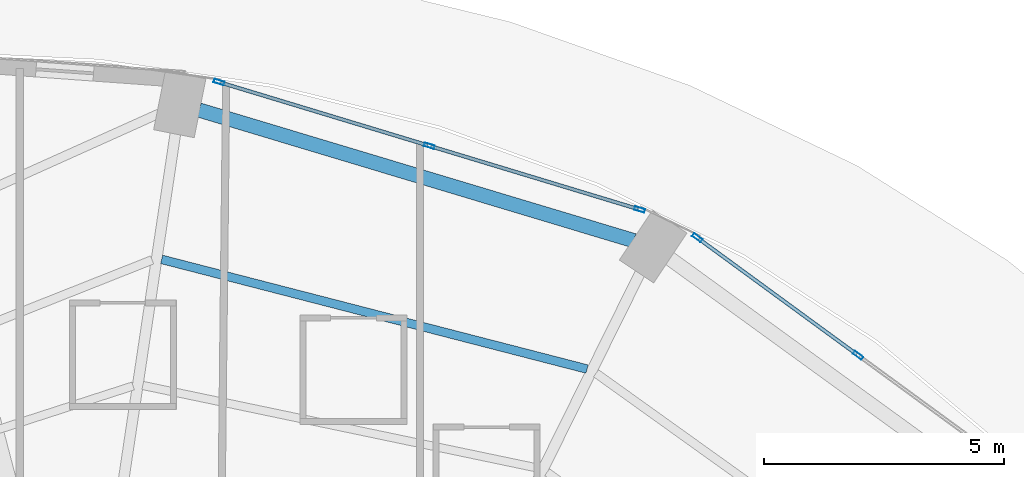
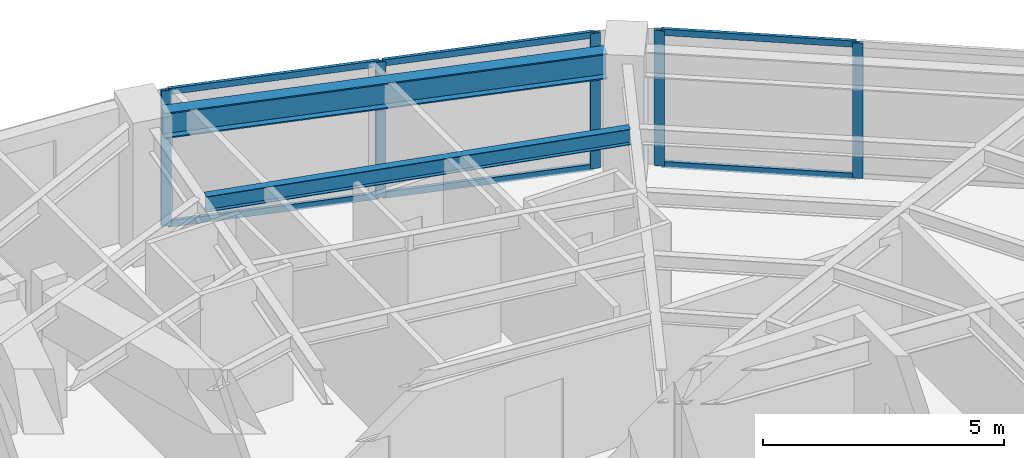
# One storey, part 17 of 25: 11 members, 2 beams, 2 elements without a shape of their own.
"""IFC4 building model written with IfcOpenShell, lengths in metres."""

from ifc_helpers import new_model, si_unit, direction, frame, origin, origin_2d, place, context, subcontext, project, spatial, hollow_rectangle, i_section, extrude, material, layer, layer_set, material_profile, profile_set, type_object, element, aggregate, save


model = new_model("IFC4")

# Units and contexts
model_context = context("Model", 3, precision=1e-05, world=origin(), true_north=direction((0.0, 1.0)))
body_context = subcontext(model_context, "Body", "Model", "MODEL_VIEW")
ifc_project = project(units=[si_unit("LENGTHUNIT", "METRE"), si_unit("AREAUNIT", "SQUARE_METRE"), si_unit("VOLUMEUNIT", "CUBIC_METRE"), si_unit("PLANEANGLEUNIT", "RADIAN"), si_unit("MASSUNIT", "GRAM", prefix="KILO")], contexts=[model_context])

# Site, building, storey
site_placement = place(None, origin())
site = spatial("IfcSite", under=ifc_project, at=site_placement, CompositionType="ELEMENT")
building_placement = place(site_placement, origin())
building = spatial("IfcBuilding", under=site, at=building_placement, Name="Lazwardi Medical Tower", CompositionType="ELEMENT")
storey_placement = place(building_placement, frame((0.0, 0.0, 25.199951171875)))
storey = spatial("IfcBuildingStorey", under=building, at=storey_placement, Name="L05", CompositionType="ELEMENT", Elevation=25.199951171875)

# Beams
ifc_material_1 = material(Name="Steel S355", Category="steel")
ifc_material_profile_1 = material_profile(ifc_material_1, i_section(OverallWidth=0.300048828125, OverallDepth=0.64990234375, WebThickness=0.01611328125, FlangeThickness=0.031005859375, at=origin_2d()), Name="HEB 650")
ifc_profile_set_1 = profile_set([ifc_material_profile_1], Name="Steel S355")
beam_type_1 = type_object("IfcBeamType", Name="BM-RB-Z1", PredefinedType="BEAM", material=ifc_profile_set_1)
beam_1_placement = place(storey_placement, frame((50.77880859375, 47.0048828125, 3.10302734375), z_axis=(-0.957695289269, 0.287784177662, 0.0), x_axis=(-0.287784177662, -0.957695289269, 0.0)))
element("IfcBeam", 1, at=beam_1_placement, inside=storey, type_object=beam_type_1, Name="Ring beam RB-02 B07 L05", PredefinedType="BEAM", context=body_context, shape_type="SweptSolid", body=[
    extrude(i_section(OverallWidth=0.300048828125, OverallDepth=0.64990234375, WebThickness=0.01611328125, FlangeThickness=0.031005859375, at=origin_2d()), origin(), (0.0, 0.0, 1.0), 9.445556640625),
])
ifc_material_profile_2 = material_profile(ifc_material_1, i_section(OverallWidth=0.179931640625, OverallDepth=0.39990234375, WebThickness=0.008544921875, FlangeThickness=0.013427734375, at=origin_2d()), Name="IPE 400")
ifc_profile_set_2 = profile_set([ifc_material_profile_2], Name="Steel S355")
beam_type_2 = type_object("IfcBeamType", Name="BM-SJ-01", PredefinedType="JOIST", material=ifc_profile_set_2)
beam_2_placement = place(storey_placement, frame((49.804931640625, 44.333251953125, 3.22802734375), z_axis=(-0.968316918308, 0.249724539682, 0.0), x_axis=(-0.249724539682, -0.968316918308, 0.0)))
element("IfcBeam", 2, at=beam_2_placement, inside=storey, type_object=beam_type_2, Name="Secondary joist SJ-01 R1 B07 L05", PredefinedType="JOIST", context=body_context, shape_type="SweptSolid", body=[
    extrude(i_section(OverallWidth=0.179931640625, OverallDepth=0.39990234375, WebThickness=0.008544921875, FlangeThickness=0.013427734375, at=origin_2d()), origin(), (0.0, 0.0, 1.0), 9.140869140625),
])

# Curtain wall, members
ifc_material_2 = material(Name="Anodised bronze aluminium and solar control glazing", Category="aluminium")
ifc_layer = layer(ifc_material_2, 0.199951171875)
ifc_layer_set = layer_set([ifc_layer], Name="Anodised bronze aluminium and solar control glazing")
curtain_wall_type = type_object("IfcCurtainWallType", Name="CW-SYS-02", PredefinedType="NOTDEFINED", material=ifc_layer_set)
curtain_wall_1_placement = place(storey_placement, origin())
curtain_wall_1 = element("IfcCurtainWall", 3, at=curtain_wall_1_placement, inside=storey, type_object=curtain_wall_type, Name="L05 Unitised bronze curtain wall CW-02", PredefinedType="NOTDEFINED")
ifc_material_3 = material(Name="Anodised bronze aluminium", Category="aluminium")
ifc_material_profile_3 = material_profile(ifc_material_3, hollow_rectangle(XDim=0.074951171875, YDim=0.219970703125, WallThickness=0.00390625, at=origin_2d()), Name="ALU-MULLION 220x75x4")
ifc_profile_set_3 = profile_set([ifc_material_profile_3], Name="Anodised bronze aluminium")
member_type_1 = type_object("IfcMemberType", Name="CW-MUL-01", PredefinedType="MULLION", material=ifc_profile_set_3)
member_1_placement = place(storey_placement, frame((55.4443359375, 44.619384765625, 0.0), z_axis=(0.0, 0.0, 1.0), x_axis=(-0.590289307341, -0.807191757663, 0.0)))
member_1 = element("IfcMember", 4, at=member_1_placement, type_object=member_type_1, Name="CW-02 mullion 2", PredefinedType="MULLION", context=body_context, shape_type="SweptSolid", body=[
    extrude(hollow_rectangle(XDim=0.074951171875, YDim=0.219970703125, WallThickness=0.00390625, at=origin_2d()), origin(), (0.0, 0.0, 1.0), 3.427978515625),
])
member_2_placement = place(storey_placement, frame((52.0986328125, 47.066162109375, 0.0), z_axis=(0.0, 0.0, 1.0), x_axis=(-0.590289307341, -0.807191757663, 0.0)))
member_2 = element("IfcMember", 5, at=member_2_placement, type_object=member_type_1, Name="CW-02 mullion 3", PredefinedType="MULLION", context=body_context, shape_type="SweptSolid", body=[
    extrude(hollow_rectangle(XDim=0.074951171875, YDim=0.219970703125, WallThickness=0.00390625, at=origin_2d()), origin(), (0.0, 0.0, 1.0), 3.427978515625),
])

curtain_wall_2_placement = place(storey_placement, origin())
curtain_wall_2 = element("IfcCurtainWall", 6, at=curtain_wall_2_placement, inside=storey, type_object=curtain_wall_type, Name="L05 Unitised bronze curtain wall CW-02", PredefinedType="NOTDEFINED")
member_3_placement = place(storey_placement, frame((50.8984375, 47.653076171875, 0.0), z_axis=(0.0, 0.0, 1.0), x_axis=(-0.2898956909, -0.957058247129, 0.0)))
member_3 = element("IfcMember", 7, at=member_3_placement, type_object=member_type_1, Name="CW-02 mullion 1", PredefinedType="MULLION", context=body_context, shape_type="SweptSolid", body=[
    extrude(hollow_rectangle(XDim=0.074951171875, YDim=0.219970703125, WallThickness=0.00390625, at=origin_2d()), origin(), (0.0, 0.0, 1.0), 3.427978515625),
])
member_4_placement = place(storey_placement, frame((46.523193359375, 48.978515625, 0.0), z_axis=(0.0, 0.0, 1.0), x_axis=(-0.2898956909, -0.957058247129, 0.0)))
member_4 = element("IfcMember", 8, at=member_4_placement, type_object=member_type_1, Name="CW-02 mullion 2", PredefinedType="MULLION", context=body_context, shape_type="SweptSolid", body=[
    extrude(hollow_rectangle(XDim=0.074951171875, YDim=0.219970703125, WallThickness=0.00390625, at=origin_2d()), origin(), (0.0, 0.0, 1.0), 3.427978515625),
])
member_5_placement = place(storey_placement, frame((42.14794921875, 50.3037109375, 0.0), z_axis=(0.0, 0.0, 1.0), x_axis=(-0.2898956909, -0.957058247129, 0.0)))
member_5 = element("IfcMember", 9, at=member_5_placement, type_object=member_type_1, Name="CW-02 mullion 3", PredefinedType="MULLION", context=body_context, shape_type="SweptSolid", body=[
    extrude(hollow_rectangle(XDim=0.074951171875, YDim=0.219970703125, WallThickness=0.00390625, at=origin_2d()), origin(), (0.0, 0.0, 1.0), 3.427978515625),
])

# Member
ifc_material_profile_4 = material_profile(ifc_material_3, hollow_rectangle(XDim=0.074951171875, YDim=0.159912109375, WallThickness=0.00390625, at=origin_2d()), Name="ALU-TRANSOM 160x75x4")
ifc_profile_set_4 = profile_set([ifc_material_profile_4], Name="Anodised bronze aluminium")
member_type_2 = type_object("IfcMemberType", Name="CW-TRN-01", PredefinedType="USERDEFINED", material=ifc_profile_set_4)
member_6_placement = place(storey_placement, frame((55.4140625, 44.641357421875, 0.03759765625), z_axis=(-0.807169053975, 0.590320352271, 0.0), x_axis=(-0.590320352271, -0.807169053975, 0.0)))
member_6 = element("IfcMember", 10, at=member_6_placement, type_object=member_type_2, Name="CW-02 transom 2.1", ObjectType="TRANSOM", PredefinedType="USERDEFINED", context=body_context, shape_type="SweptSolid", body=[
    extrude(hollow_rectangle(XDim=0.074951171875, YDim=0.159912109375, WallThickness=0.00390625, at=origin_2d()), origin(), (0.0, 0.0, 1.0), 4.070068359375),
])

member_7_placement = place(storey_placement, frame((55.4140625, 44.641357421875, 3.390625), z_axis=(-0.807169053975, 0.590320352271, 0.0), x_axis=(-0.590320352271, -0.807169053975, 0.0)))
member_7 = element("IfcMember", 11, at=member_7_placement, type_object=member_type_2, Name="CW-02 transom 2.2", ObjectType="TRANSOM", PredefinedType="USERDEFINED", context=body_context, shape_type="SweptSolid", body=[
    extrude(hollow_rectangle(XDim=0.074951171875, YDim=0.159912109375, WallThickness=0.00390625, at=origin_2d()), origin(), (0.0, 0.0, 1.0), 4.070068359375),
])

aggregate(curtain_wall_1, [member_1, member_2, member_6, member_7])

member_8_placement = place(storey_placement, frame((50.862548828125, 47.6640625, 0.03759765625), z_axis=(-0.957062297904, 0.289882317383, 0.0), x_axis=(-0.289882317383, -0.957062297904, 0.0)))
member_8 = element("IfcMember", 12, at=member_8_placement, type_object=member_type_2, Name="CW-02 transom 1.1", ObjectType="TRANSOM", PredefinedType="USERDEFINED", context=body_context, shape_type="SweptSolid", body=[
    extrude(hollow_rectangle(XDim=0.074951171875, YDim=0.159912109375, WallThickness=0.00390625, at=origin_2d()), origin(), (0.0, 0.0, 1.0), 4.49658203125),
])

member_9_placement = place(storey_placement, frame((50.862548828125, 47.6640625, 3.390625), z_axis=(-0.957062297904, 0.289882317383, 0.0), x_axis=(-0.289882317383, -0.957062297904, 0.0)))
member_9 = element("IfcMember", 13, at=member_9_placement, type_object=member_type_2, Name="CW-02 transom 1.2", ObjectType="TRANSOM", PredefinedType="USERDEFINED", context=body_context, shape_type="SweptSolid", body=[
    extrude(hollow_rectangle(XDim=0.074951171875, YDim=0.159912109375, WallThickness=0.00390625, at=origin_2d()), origin(), (0.0, 0.0, 1.0), 4.49658203125),
])

member_10_placement = place(storey_placement, frame((46.4873046875, 48.9892578125, 0.03759765625), z_axis=(-0.957047233423, 0.28993204893, 0.0), x_axis=(-0.28993204893, -0.957047233423, 0.0)))
member_10 = element("IfcMember", 14, at=member_10_placement, type_object=member_type_2, Name="CW-02 transom 2.1", ObjectType="TRANSOM", PredefinedType="USERDEFINED", context=body_context, shape_type="SweptSolid", body=[
    extrude(hollow_rectangle(XDim=0.074951171875, YDim=0.159912109375, WallThickness=0.00390625, at=origin_2d()), origin(), (0.0, 0.0, 1.0), 4.49658203125),
])

member_11_placement = place(storey_placement, frame((46.4873046875, 48.9892578125, 3.390625), z_axis=(-0.957047233423, 0.28993204893, 0.0), x_axis=(-0.28993204893, -0.957047233423, 0.0)))
member_11 = element("IfcMember", 15, at=member_11_placement, type_object=member_type_2, Name="CW-02 transom 2.2", ObjectType="TRANSOM", PredefinedType="USERDEFINED", context=body_context, shape_type="SweptSolid", body=[
    extrude(hollow_rectangle(XDim=0.074951171875, YDim=0.159912109375, WallThickness=0.00390625, at=origin_2d()), origin(), (0.0, 0.0, 1.0), 4.49658203125),
])

aggregate(curtain_wall_2, [member_3, member_4, member_5, member_8, member_9, member_10, member_11])

save(model, "model.ifc")
